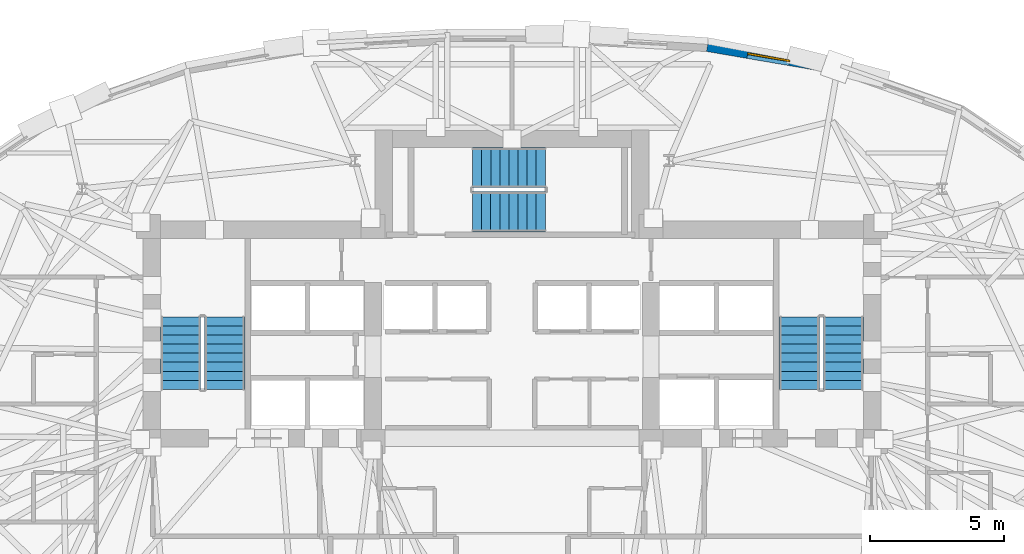
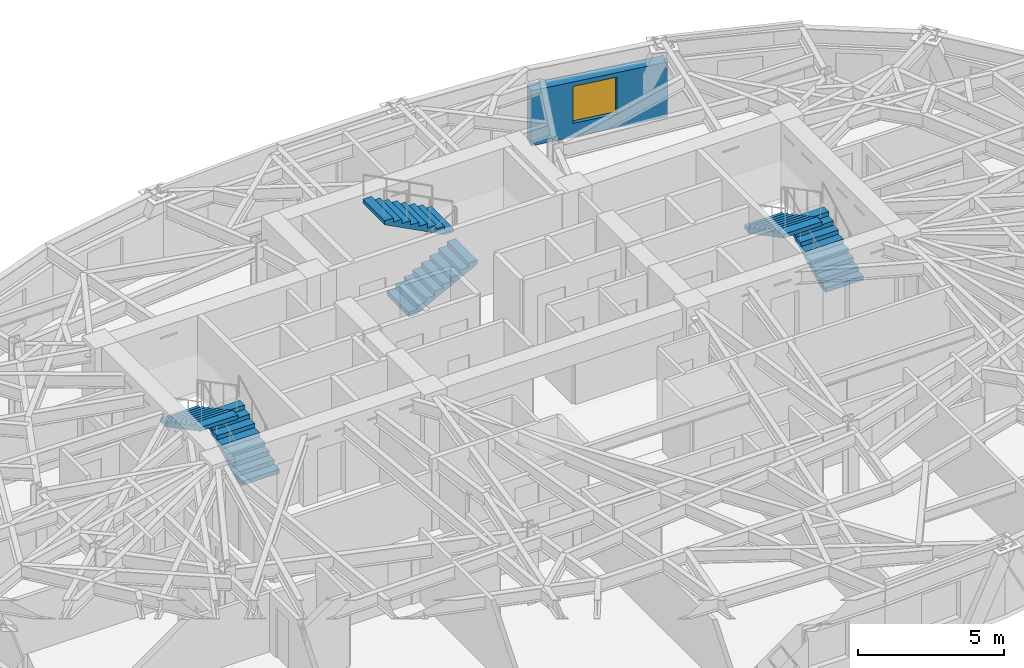
# One storey, part 11 of 15: 6 stair flights, 1 wall, 1 window, 1 opening, 3 elements without a shape of their own.
"""IFC4 building model written with IfcOpenShell, lengths in metres."""

from ifc_helpers import new_model, si_unit, direction, frame, frame_2d, origin, place, context, subcontext, project, spatial, polyline, rectangle, outline, extrude, material, layer, layer_set, type_object, element, fill, aggregate, save


model = new_model("IFC4")

# Units and contexts
model_context = context("Model", 3, precision=1e-05, world=origin(), true_north=direction((0.0, 1.0)))
body_context = subcontext(model_context, "Body", "Model", "MODEL_VIEW")
ifc_project = project(units=[si_unit("LENGTHUNIT", "METRE"), si_unit("AREAUNIT", "SQUARE_METRE"), si_unit("VOLUMEUNIT", "CUBIC_METRE"), si_unit("PLANEANGLEUNIT", "RADIAN"), si_unit("MASSUNIT", "GRAM", prefix="KILO")], contexts=[model_context])

# Site, building, storey
site_placement = place(None, origin())
site = spatial("IfcSite", under=ifc_project, at=site_placement, CompositionType="ELEMENT")
building_placement = place(site_placement, origin())
building = spatial("IfcBuilding", under=site, at=building_placement, Name="Keldmark Tower", CompositionType="ELEMENT")
storey_placement = place(building_placement, frame((0.0, 0.0, 143.800048828125)))
storey = spatial("IfcBuildingStorey", under=building, at=storey_placement, Name="L38", CompositionType="ELEMENT", Elevation=143.800048828125)

# Wall, opening, window
ifc_material_1 = material(Name="Ironspot Manganese Brick and Kasota Buff Limestone Spandrel Assembly", Category="masonry")
ifc_layer = layer(ifc_material_1, 0.43994140625)
ifc_layer_set = layer_set([ifc_layer], Name="Ironspot Manganese Brick and Kasota Buff Limestone Spandrel Assembly")
wall_type = type_object("IfcWallType", Name="Tower Brick Pier and Spandrel Wall 440 mm", PredefinedType="STANDARD", material=ifc_layer_set)
wall_placement = place(storey_placement, frame((7.315673828125, 16.213134765625, 0.0), z_axis=(0.0, 0.0, 1.0), x_axis=(0.985640803986, -0.168855575915, 0.0)))
wall = element("IfcWall", 1, at=wall_placement, inside=storey, type_object=wall_type, Name="L38 Exterior Brick and Spandrel Wall 06", PredefinedType="STANDARD", context=body_context, shape_type="SweptSolid", body=[
    extrude(rectangle(XDim=5.008544921875, YDim=0.43994140625, at=frame_2d((2.50439453125, 0.0))), origin(), (0.0, 0.0, 1.0), 2.31494140625),
])
opening_placement = place(wall_placement, frame((1.531494140625, 0.0, 0.580078125)))
opening = element("IfcOpeningElement", 2, at=opening_placement, cuts=wall, Name="Opening W-04", PredefinedType="OPENING", context=body_context, shape_type="SweptSolid", body=[
    extrude(rectangle(XDim=1.60009765625, YDim=1.550048828125, at=frame_2d((0.800048828125, 0.77490234375))), frame((0.0, 0.22998046875, 0.0), z_axis=(0.0, -1.0, 0.0), x_axis=(1.0, 0.0, 0.0)), (0.0, 0.0, 1.0), 0.4599609375),
])
ifc_material_2 = material(Name="Thermally Broken Anodized Aluminum and Triple Low-E Argon Glazing", Category="aluminium")
window_type = type_object("IfcWindowType", Name="Hotel Deep-Set Operable Window 1600x1550", PartitioningType="DOUBLE_PANEL_HORIZONTAL", PredefinedType="WINDOW", material=ifc_material_2)
window_placement = place(opening_placement, origin())
window = element("IfcWindow", 3, at=window_placement, inside=storey, type_object=window_type, Name="L38 Deep-Set Window 06", OverallHeight=1.550048828125, OverallWidth=1.60009765625, PartitioningType="SINGLE_PANEL", PredefinedType="WINDOW", context=body_context, shape_type="SweptSolid", body=[
    extrude(rectangle(XDim=1.60009765625, YDim=1.550048828125, at=frame_2d((0.800048828125, 0.77490234375))), frame((0.0, -0.010009765625, 0.0), z_axis=(0.0, -1.0, 0.0), x_axis=(1.0, 0.0, 0.0)), (0.0, 0.0, 1.0), 0.06005859375),
])
fill(opening, window)

# Stair, stair flights
ifc_material_3 = material(Name="Concrete C40/50", Category="concrete")
stair_type = type_object("IfcStairType", Name="Precast Concrete Core Exit Stair", PredefinedType="HALF_TURN_STAIR", material=ifc_material_3)
stair_1_placement = place(storey_placement, origin())
stair_1 = element("IfcStair", 4, at=stair_1_placement, inside=storey, type_object=stair_type, Name="L38 Exit Stair ST1", PredefinedType="HALF_TURN_STAIR")
ifc_material_4 = material(Name="Concrete C40/50", Category="concrete")
stair_flight_type = type_object("IfcStairFlightType", Name="Precast Concrete Stair Flight 1500 mm", PredefinedType="STRAIGHT", material=ifc_material_4)
stair_flight_1_placement = place(storey_placement, frame((-10.75, 3.35009765625, 0.0), z_axis=(0.0, 0.0, 1.0), x_axis=(0.0, 1.0, 0.0)))
stair_flight_1 = element("IfcStairFlight", 5, at=stair_flight_1_placement, type_object=stair_flight_type, Name="ST1 flight 1", NumberOfRisers=9, NumberOfTreads=8, PredefinedType="STRAIGHT", RiserHeight=0.177777778, TreadLength=0.34, context=body_context, shape_type="SweptSolid", body=[
    extrude(outline(polyline([(0.0, 0.0), (0.0, 0.177734375), (0.340087890625, 0.177734375), (0.340087890625, 0.35546875), (0.679931640625, 0.35546875), (0.679931640625, 0.533447265625), (1.02001953125, 0.533447265625), (1.02001953125, 0.711181640625), (1.360107421875, 0.711181640625), (1.360107421875, 0.888916015625), (1.699951171875, 0.888916015625), (1.699951171875, 1.066650390625), (2.0400390625, 1.066650390625), (2.0400390625, 1.244384765625), (2.3798828125, 1.244384765625), (2.3798828125, 1.422119140625), (2.719970703125, 1.422119140625), (2.719970703125, 1.60009765625), (2.719970703125, 1.253173828125), (0.323486328125, 0.0), (0.0, 0.0)])), frame((0.0, 0.75, 0.0), z_axis=(0.0, -1.0, 0.0), x_axis=(1.0, 0.0, 0.0)), (0.0, 0.0, 1.0), 1.5),
])
stair_flight_2_placement = place(storey_placement, frame((-12.39990234375, 6.070068359375, 1.599853515625), z_axis=(0.0, 0.0, 1.0), x_axis=(0.0, -1.0, 0.0)))
stair_flight_2 = element("IfcStairFlight", 6, at=stair_flight_2_placement, type_object=stair_flight_type, Name="ST1 flight 2", NumberOfRisers=9, NumberOfTreads=8, PredefinedType="STRAIGHT", RiserHeight=0.177777778, TreadLength=0.34, context=body_context, shape_type="SweptSolid", body=[
    extrude(outline(polyline([(0.0, 0.0), (0.0, 0.177734375), (0.340087890625, 0.177734375), (0.340087890625, 0.35546875), (0.679931640625, 0.35546875), (0.679931640625, 0.533447265625), (1.02001953125, 0.533447265625), (1.02001953125, 0.711181640625), (1.360107421875, 0.711181640625), (1.360107421875, 0.888916015625), (1.699951171875, 0.888916015625), (1.699951171875, 1.066650390625), (2.0400390625, 1.066650390625), (2.0400390625, 1.244384765625), (2.3798828125, 1.244384765625), (2.3798828125, 1.422119140625), (2.719970703125, 1.422119140625), (2.719970703125, 1.60009765625), (2.719970703125, 1.253173828125), (0.323486328125, 0.0), (0.0, 0.0)])), frame((0.0, 0.75, 0.0), z_axis=(0.0, -1.0, 0.0), x_axis=(1.0, 0.0, 0.0)), (0.0, 0.0, 1.0), 1.5),
])
aggregate(stair_1, [stair_flight_1, stair_flight_2])

stair_2_placement = place(storey_placement, origin())
stair_2 = element("IfcStair", 7, at=stair_2_placement, inside=storey, type_object=stair_type, Name="L38 Exit Stair ST2", PredefinedType="HALF_TURN_STAIR")
stair_flight_3_placement = place(storey_placement, frame((12.39990234375, 3.35009765625, 0.0), z_axis=(0.0, 0.0, 1.0), x_axis=(0.0, 1.0, 0.0)))
stair_flight_3 = element("IfcStairFlight", 8, at=stair_flight_3_placement, type_object=stair_flight_type, Name="ST2 flight 1", NumberOfRisers=9, NumberOfTreads=8, PredefinedType="STRAIGHT", RiserHeight=0.177777778, TreadLength=0.34, context=body_context, shape_type="SweptSolid", body=[
    extrude(outline(polyline([(0.0, 0.0), (0.0, 0.177734375), (0.340087890625, 0.177734375), (0.340087890625, 0.35546875), (0.679931640625, 0.35546875), (0.679931640625, 0.533447265625), (1.02001953125, 0.533447265625), (1.02001953125, 0.711181640625), (1.360107421875, 0.711181640625), (1.360107421875, 0.888916015625), (1.699951171875, 0.888916015625), (1.699951171875, 1.066650390625), (2.0400390625, 1.066650390625), (2.0400390625, 1.244384765625), (2.3798828125, 1.244384765625), (2.3798828125, 1.422119140625), (2.719970703125, 1.422119140625), (2.719970703125, 1.60009765625), (2.719970703125, 1.253173828125), (0.323486328125, 0.0), (0.0, 0.0)])), frame((0.0, 0.75, 0.0), z_axis=(0.0, -1.0, 0.0), x_axis=(1.0, 0.0, 0.0)), (0.0, 0.0, 1.0), 1.5),
])
stair_flight_4_placement = place(storey_placement, frame((10.75, 6.070068359375, 1.599853515625), z_axis=(0.0, 0.0, 1.0), x_axis=(0.0, -1.0, 0.0)))
stair_flight_4 = element("IfcStairFlight", 9, at=stair_flight_4_placement, type_object=stair_flight_type, Name="ST2 flight 2", NumberOfRisers=9, NumberOfTreads=8, PredefinedType="STRAIGHT", RiserHeight=0.177777778, TreadLength=0.34, context=body_context, shape_type="SweptSolid", body=[
    extrude(outline(polyline([(0.0, 0.0), (0.0, 0.177734375), (0.340087890625, 0.177734375), (0.340087890625, 0.35546875), (0.679931640625, 0.35546875), (0.679931640625, 0.533447265625), (1.02001953125, 0.533447265625), (1.02001953125, 0.711181640625), (1.360107421875, 0.711181640625), (1.360107421875, 0.888916015625), (1.699951171875, 0.888916015625), (1.699951171875, 1.066650390625), (2.0400390625, 1.066650390625), (2.0400390625, 1.244384765625), (2.3798828125, 1.244384765625), (2.3798828125, 1.422119140625), (2.719970703125, 1.422119140625), (2.719970703125, 1.60009765625), (2.719970703125, 1.253173828125), (0.323486328125, 0.0), (0.0, 0.0)])), frame((0.0, 0.75, 0.0), z_axis=(0.0, -1.0, 0.0), x_axis=(1.0, 0.0, 0.0)), (0.0, 0.0, 1.0), 1.5),
])
aggregate(stair_2, [stair_flight_3, stair_flight_4])

stair_3_placement = place(storey_placement, origin())
stair_3 = element("IfcStair", 10, at=stair_3_placement, inside=storey, type_object=stair_type, Name="L38 Exit Stair ST3", PredefinedType="HALF_TURN_STAIR")
stair_flight_5_placement = place(storey_placement, frame((-1.47509765625, 10.0, 0.0), z_axis=(0.0, 0.0, 1.0), x_axis=(1.0, 0.0, 0.0)))
stair_flight_5 = element("IfcStairFlight", 11, at=stair_flight_5_placement, type_object=stair_flight_type, Name="ST3 flight 1", NumberOfRisers=9, NumberOfTreads=8, PredefinedType="STRAIGHT", RiserHeight=0.177777778, TreadLength=0.34, context=body_context, shape_type="SweptSolid", body=[
    extrude(outline(polyline([(0.0, 0.0), (0.0, 0.177734375), (0.340087890625, 0.177734375), (0.340087890625, 0.35546875), (0.679931640625, 0.35546875), (0.679931640625, 0.533447265625), (1.02001953125, 0.533447265625), (1.02001953125, 0.711181640625), (1.360107421875, 0.711181640625), (1.360107421875, 0.888916015625), (1.699951171875, 0.888916015625), (1.699951171875, 1.066650390625), (2.0400390625, 1.066650390625), (2.0400390625, 1.244384765625), (2.3798828125, 1.244384765625), (2.3798828125, 1.422119140625), (2.719970703125, 1.422119140625), (2.719970703125, 1.60009765625), (2.719970703125, 1.253173828125), (0.323486328125, 0.0), (0.0, 0.0)])), frame((0.0, 0.75, 0.0), z_axis=(0.0, -1.0, 0.0), x_axis=(1.0, 0.0, 0.0)), (0.0, 0.0, 1.0), 1.5),
])
stair_flight_6_placement = place(storey_placement, frame((1.2451171875, 11.64990234375, 1.599853515625), z_axis=(0.0, 0.0, 1.0), x_axis=(-1.0, 0.0, 0.0)))
stair_flight_6 = element("IfcStairFlight", 12, at=stair_flight_6_placement, type_object=stair_flight_type, Name="ST3 flight 2", NumberOfRisers=9, NumberOfTreads=8, PredefinedType="STRAIGHT", RiserHeight=0.177777778, TreadLength=0.34, context=body_context, shape_type="SweptSolid", body=[
    extrude(outline(polyline([(0.0, 0.0), (0.0, 0.177734375), (0.340087890625, 0.177734375), (0.340087890625, 0.35546875), (0.679931640625, 0.35546875), (0.679931640625, 0.533447265625), (1.02001953125, 0.533447265625), (1.02001953125, 0.711181640625), (1.360107421875, 0.711181640625), (1.360107421875, 0.888916015625), (1.699951171875, 0.888916015625), (1.699951171875, 1.066650390625), (2.0400390625, 1.066650390625), (2.0400390625, 1.244384765625), (2.3798828125, 1.244384765625), (2.3798828125, 1.422119140625), (2.719970703125, 1.422119140625), (2.719970703125, 1.60009765625), (2.719970703125, 1.253173828125), (0.323486328125, 0.0), (0.0, 0.0)])), frame((0.0, 0.75, 0.0), z_axis=(0.0, -1.0, 0.0), x_axis=(1.0, 0.0, 0.0)), (0.0, 0.0, 1.0), 1.5),
])
aggregate(stair_3, [stair_flight_5, stair_flight_6])

save(model, "model.ifc")
